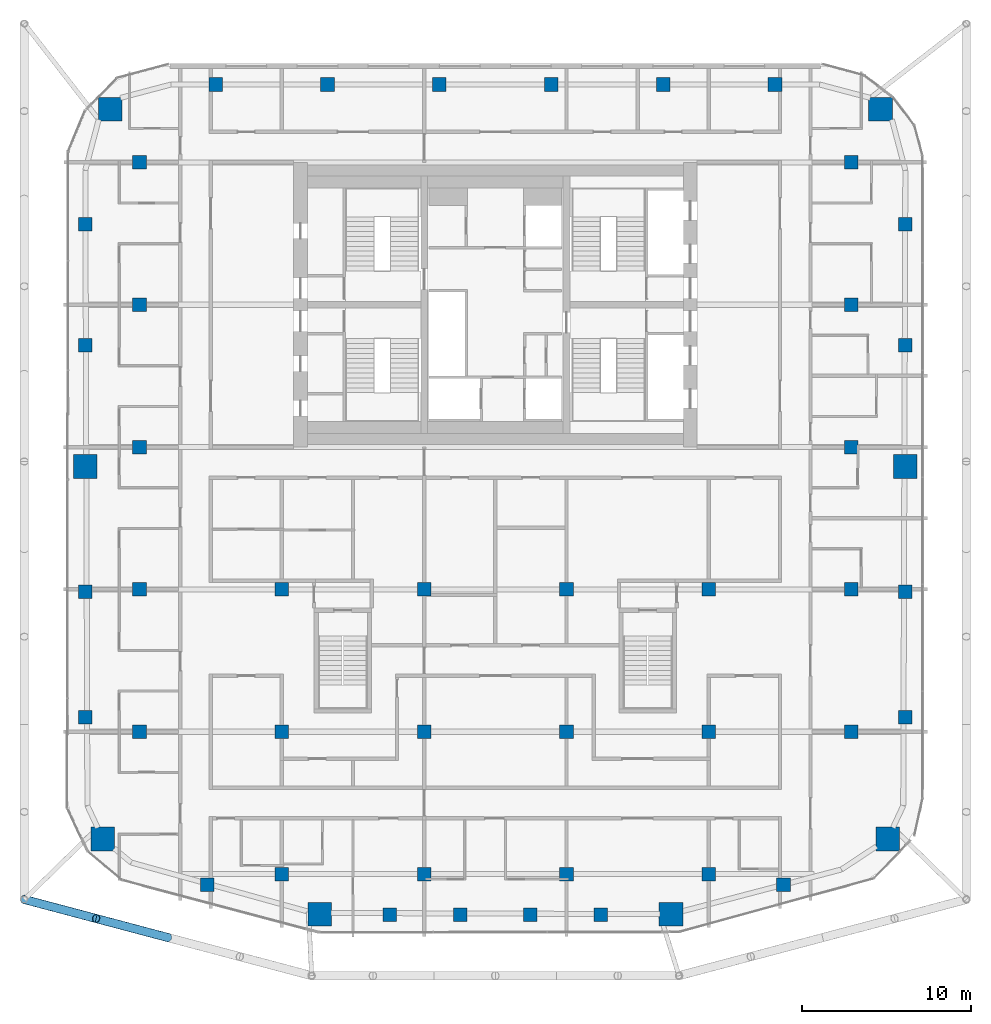
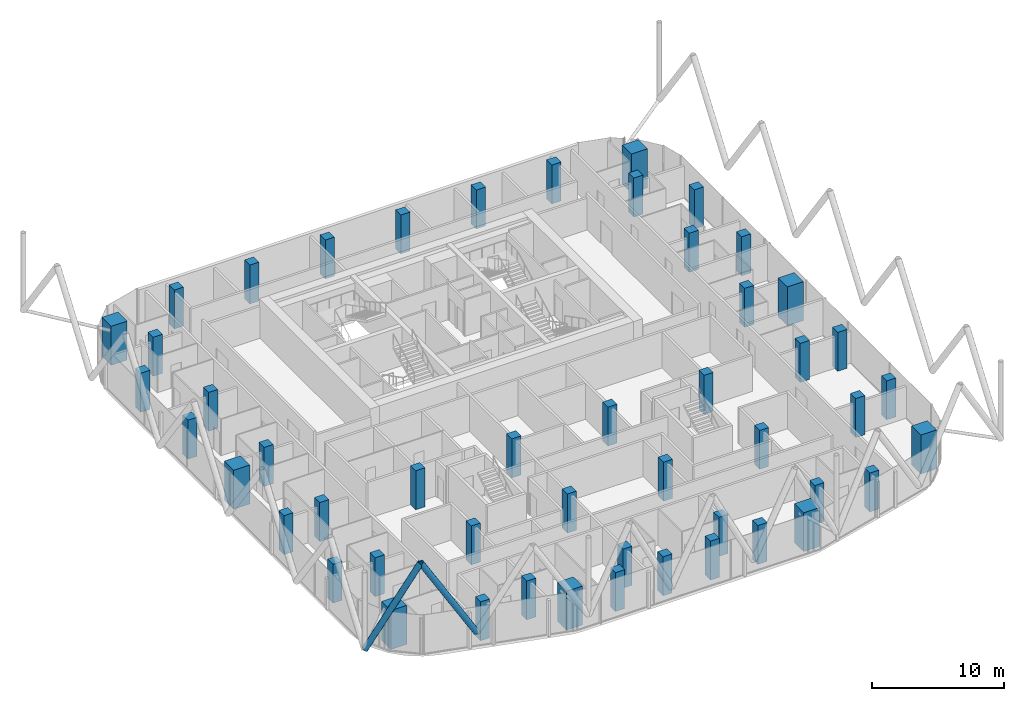
# One storey, part 1 of 28: 50 columns, 2 members.
"""IFC4 building model written with IfcOpenShell, lengths in metres."""

from ifc_helpers import new_model, si_unit, direction, frame, origin, origin_2d, place, context, subcontext, project, spatial, rectangle, hollow_circle, extrude, material, material_profile, profile_set, type_object, element, save


model = new_model("IFC4")

# Units and contexts
model_context = context("Model", 3, precision=1e-05, world=origin(), true_north=direction((0.0, 1.0)))
body_context = subcontext(model_context, "Body", "Model", "MODEL_VIEW")
ifc_project = project(units=[si_unit("LENGTHUNIT", "METRE"), si_unit("AREAUNIT", "SQUARE_METRE"), si_unit("VOLUMEUNIT", "CUBIC_METRE"), si_unit("PLANEANGLEUNIT", "RADIAN"), si_unit("MASSUNIT", "GRAM", prefix="KILO")], contexts=[model_context])

# Site, building, storey
site_placement = place(None, origin())
site = spatial("IfcSite", under=ifc_project, at=site_placement, CompositionType="ELEMENT")
building_placement = place(site_placement, origin())
building = spatial("IfcBuilding", under=site, at=building_placement, Name="Marenta Gate Hotel Tower", CompositionType="ELEMENT")
storey_placement = place(building_placement, frame((0.0, 0.0, 241.699951171875)))
storey = spatial("IfcBuildingStorey", under=building, at=storey_placement, Name="L57", CompositionType="ELEMENT", Elevation=241.699951171875)

# Columns
ifc_material_1 = material(Name="Concrete C60", Category="concrete")
ifc_material_profile_1 = material_profile(ifc_material_1, rectangle(XDim=0.800048828125, YDim=0.800048828125, at=origin_2d()), Name="800 x 800")
ifc_profile_set_1 = profile_set([ifc_material_profile_1], Name="Concrete C60")
column_type_1 = type_object("IfcColumnType", Name="Edge column 800 x 800 C60", PredefinedType="COLUMN", material=ifc_profile_set_1)
for number, where, z_axis, x_axis, name in (
    (1, (-24.199951171875, -15.951904296875, 0.0), (0.0, 0.0, 1.0), (1.0, 0.0, 0.0), "L57-EC-SW-W-1"),
    (2, (-24.199951171875, -8.55078125, 0.0), (0.0, 0.0, 1.0), (1.0, 0.0, 0.0), "L57-EC-SW-W-2"),
    (3, (-24.199951171875, 6.003173828125, 0.0), (0.0, 0.0, 1.0), (1.0, 0.0, 0.0), "L57-EC-W-NW-1"),
    (4, (-24.199951171875, 13.156494140625, 0.0), (0.0, 0.0, 1.0), (1.0, 0.0, 0.0), "L57-EC-W-NW-2"),
    (5, (-16.5068359375, 21.39990234375, 0.0), (0.0, 0.0, 1.0), (1.0, 0.0, 0.0), "L57-EC-NW-NE-1"),
    (6, (-9.904052734375, 21.39990234375, 0.0), (0.0, 0.0, 1.0), (1.0, 0.0, 0.0), "L57-EC-NW-NE-2"),
    (7, (-3.301513671875, 21.39990234375, 0.0), (0.0, 0.0, 1.0), (1.0, 0.0, 0.0), "L57-EC-NW-NE-3"),
    (8, (3.301513671875, 21.39990234375, 0.0), (0.0, 0.0, 1.0), (1.0, 0.0, 0.0), "L57-EC-NW-NE-4"),
    (9, (9.904052734375, 21.39990234375, 0.0), (0.0, 0.0, 1.0), (1.0, 0.0, 0.0), "L57-EC-NW-NE-5"),
    (10, (16.5068359375, 21.39990234375, 0.0), (0.0, 0.0, 1.0), (1.0, 0.0, 0.0), "L57-EC-NW-NE-6"),
    (11, (24.199951171875, 13.156494140625, 0.0), (0.0, 0.0, 1.0), (1.0, 0.0, 0.0), "L57-EC-NE-E-1"),
    (12, (24.199951171875, 6.003173828125, 0.0), (0.0, 0.0, 1.0), (1.0, 0.0, 0.0), "L57-EC-NE-E-2"),
    (13, (24.199951171875, -8.55078125, 0.0), (0.0, 0.0, 1.0), (1.0, 0.0, 0.0), "L57-EC-E-SE-1"),
    (14, (24.199951171875, -15.951904296875, 0.0), (0.0, 0.0, 1.0), (1.0, 0.0, 0.0), "L57-EC-E-SE-2"),
    (15, (17.0068359375, -25.839111328125, 0.0), (0.0, 0.0, 1.0), (1.0, 0.0, 0.0), "L57-EC-SE-SKE-1"),
    (16, (6.22021484375, -27.60009765625, 0.0), (0.0, 0.0, 1.0), (1.0, 0.0, 0.0), "L57-EC-SKE-SKW-1"),
    (17, (2.073486328125, -27.60009765625, 0.0), (0.0, 0.0, 1.0), (1.0, 0.0, 0.0), "L57-EC-SKE-SKW-2"),
    (18, (-2.073486328125, -27.60009765625, 0.0), (0.0, 0.0, 1.0), (1.0, 0.0, 0.0), "L57-EC-SKE-SKW-3"),
    (19, (-6.22021484375, -27.60009765625, 0.0), (0.0, 0.0, 1.0), (1.0, 0.0, 0.0), "L57-EC-SKE-SKW-4"),
    (20, (-17.0068359375, -25.839111328125, 0.0), (0.0, 0.0, 1.0), (1.0, 0.0, 0.0), "L57-EC-SKW-SW-1"),
):
    element("IfcColumn", number, at=place(storey_placement, frame(where, z_axis=z_axis, x_axis=x_axis)), inside=storey, type_object=column_type_1, Name=name, PredefinedType="COLUMN", context=body_context, shape_type="SweptSolid", body=[
        extrude(rectangle(XDim=0.800048828125, YDim=0.800048828125, at=origin_2d()), origin(), (0.0, 0.0, 1.0), 3.60009765625),
    ])
ifc_material_2 = material(Name="Concrete C60", Category="concrete")
ifc_material_profile_2 = material_profile(ifc_material_2, rectangle(XDim=0.800048828125, YDim=0.800048828125, at=origin_2d()), Name="800 x 800")
ifc_profile_set_2 = profile_set([ifc_material_profile_2], Name="Concrete C60")
column_type_2 = type_object("IfcColumnType", Name="Interior column 800 x 800 C60", PredefinedType="COLUMN", material=ifc_profile_set_2)
for number, where, z_axis, x_axis, name in (
    (21, (-21.0, -16.800048828125, 0.0), (0.0, 0.0, 1.0), (1.0, 0.0, 0.0), "L57-IC-4D"),
    (22, (-21.0, -8.39990234375, 0.0), (0.0, 0.0, 1.0), (1.0, 0.0, 0.0), "L57-IC-4E"),
    (23, (-21.0, 0.0, 0.0), (0.0, 0.0, 1.0), (1.0, 0.0, 0.0), "L57-IC-4F"),
    (24, (-21.0, 8.39990234375, 0.0), (0.0, 0.0, 1.0), (1.0, 0.0, 0.0), "L57-IC-4G"),
    (25, (-21.0, 16.800048828125, 0.0), (0.0, 0.0, 1.0), (1.0, 0.0, 0.0), "L57-IC-4H"),
    (26, (-12.60009765625, -25.199951171875, 0.0), (0.0, 0.0, 1.0), (1.0, 0.0, 0.0), "L57-IC-5C"),
    (27, (-12.60009765625, -16.800048828125, 0.0), (0.0, 0.0, 1.0), (1.0, 0.0, 0.0), "L57-IC-5D"),
    (28, (-12.60009765625, -8.39990234375, 0.0), (0.0, 0.0, 1.0), (1.0, 0.0, 0.0), "L57-IC-5E"),
    (29, (-4.199951171875, -25.199951171875, 0.0), (0.0, 0.0, 1.0), (1.0, 0.0, 0.0), "L57-IC-6C"),
    (30, (-4.199951171875, -16.800048828125, 0.0), (0.0, 0.0, 1.0), (1.0, 0.0, 0.0), "L57-IC-6D"),
    (31, (-4.199951171875, -8.39990234375, 0.0), (0.0, 0.0, 1.0), (1.0, 0.0, 0.0), "L57-IC-6E"),
    (32, (4.199951171875, -25.199951171875, 0.0), (0.0, 0.0, 1.0), (1.0, 0.0, 0.0), "L57-IC-7C"),
    (33, (4.199951171875, -16.800048828125, 0.0), (0.0, 0.0, 1.0), (1.0, 0.0, 0.0), "L57-IC-7D"),
    (34, (4.199951171875, -8.39990234375, 0.0), (0.0, 0.0, 1.0), (1.0, 0.0, 0.0), "L57-IC-7E"),
    (35, (12.60009765625, -25.199951171875, 0.0), (0.0, 0.0, 1.0), (1.0, 0.0, 0.0), "L57-IC-8C"),
    (36, (12.60009765625, -16.800048828125, 0.0), (0.0, 0.0, 1.0), (1.0, 0.0, 0.0), "L57-IC-8D"),
    (37, (12.60009765625, -8.39990234375, 0.0), (0.0, 0.0, 1.0), (1.0, 0.0, 0.0), "L57-IC-8E"),
    (38, (21.0, -16.800048828125, 0.0), (0.0, 0.0, 1.0), (1.0, 0.0, 0.0), "L57-IC-9D"),
    (39, (21.0, -8.39990234375, 0.0), (0.0, 0.0, 1.0), (1.0, 0.0, 0.0), "L57-IC-9E"),
    (40, (21.0, 0.0, 0.0), (0.0, 0.0, 1.0), (1.0, 0.0, 0.0), "L57-IC-9F"),
    (41, (21.0, 8.39990234375, 0.0), (0.0, 0.0, 1.0), (1.0, 0.0, 0.0), "L57-IC-9G"),
    (42, (21.0, 16.800048828125, 0.0), (0.0, 0.0, 1.0), (1.0, 0.0, 0.0), "L57-IC-9H"),
):
    element("IfcColumn", number, at=place(storey_placement, frame(where, z_axis=z_axis, x_axis=x_axis)), inside=storey, type_object=column_type_2, Name=name, PredefinedType="COLUMN", context=body_context, shape_type="SweptSolid", body=[
        extrude(rectangle(XDim=0.800048828125, YDim=0.800048828125, at=origin_2d()), origin(), (0.0, 0.0, 1.0), 3.60009765625),
    ])
ifc_material_3 = material(Name="Concrete C60", Category="concrete")
ifc_material_profile_3 = material_profile(ifc_material_3, rectangle(XDim=1.39990234375, YDim=1.39990234375, at=origin_2d()), Name="1400 x 1400")
ifc_profile_set_3 = profile_set([ifc_material_profile_3], Name="Concrete C60")
column_type_3 = type_object("IfcColumnType", Name="Mega column 1400 x 1400 C60", PredefinedType="COLUMN", material=ifc_profile_set_3)
for number, where, z_axis, x_axis, name in (
    (43, (-23.1630859375, -23.133056640625, 0.0), (0.0, 0.0, 1.0), (1.0, 0.0, 0.0), "L57-MC-SW"),
    (44, (-10.3662109375, -27.57470703125, 0.0), (0.0, 0.0, 1.0), (1.0, 0.0, 0.0), "L57-MC-SKW"),
    (45, (10.3662109375, -27.57470703125, 0.0), (0.0, 0.0, 1.0), (1.0, 0.0, 0.0), "L57-MC-SKE"),
    (46, (23.1630859375, -23.133056640625, 0.0), (0.0, 0.0, 1.0), (1.0, 0.0, 0.0), "L57-MC-SE"),
    (47, (24.199951171875, -1.14990234375, 0.0), (0.0, 0.0, 1.0), (1.0, 0.0, 0.0), "L57-MC-E"),
    (48, (22.735595703125, 19.935546875, 0.0), (0.0, 0.0, 1.0), (1.0, 0.0, 0.0), "L57-MC-NE"),
    (49, (-22.735595703125, 19.935546875, 0.0), (0.0, 0.0, 1.0), (1.0, 0.0, 0.0), "L57-MC-NW"),
    (50, (-24.199951171875, -1.14990234375, 0.0), (0.0, 0.0, 1.0), (1.0, 0.0, 0.0), "L57-MC-W"),
):
    element("IfcColumn", number, at=place(storey_placement, frame(where, z_axis=z_axis, x_axis=x_axis)), inside=storey, type_object=column_type_3, Name=name, PredefinedType="COLUMN", context=body_context, shape_type="SweptSolid", body=[
        extrude(rectangle(XDim=1.39990234375, YDim=1.39990234375, at=origin_2d()), origin(), (0.0, 0.0, 1.0), 3.60009765625),
    ])

# Members
ifc_material_4 = material(Name="Steel S355J2W", Category="steel")
ifc_material_profile_4 = material_profile(ifc_material_4, hollow_circle(Radius=0.25390625, WallThickness=0.02490234375, at=origin_2d()), Name="CHS 508x25")
ifc_profile_set_4 = profile_set([ifc_material_profile_4], Name="Steel S355J2W")
member_type = type_object("IfcMemberType", Name="Diagrid diagonal Z3 CHS 508x25", PredefinedType="BRACE", material=ifc_profile_set_4)
for number, where, z_axis, x_axis, name in (
    (51, (-19.319580078125, -28.9501953125, 3.14013671875), (-0.502924018666, 0.133433548941, 0.853968921838), (-0.256443187528, -0.96655930577, 0.0), "L57-DG-23"),
    (52, (-27.800048828125, -26.7001953125, 3.14013671875), (0.502924018666, -0.133433548941, 0.853968921838), (0.256443187528, 0.96655930577, 0.0), "L57-DG-24"),
):
    element("IfcMember", number, at=place(storey_placement, frame(where, z_axis=z_axis, x_axis=x_axis)), inside=storey, type_object=member_type, Name=name, PredefinedType="BRACE", context=body_context, shape_type="SweptSolid", body=[
        extrude(hollow_circle(Radius=0.25390625, WallThickness=0.02490234375, at=origin_2d()), origin(), (0.0, 0.0, 1.0), 8.43115234375),
    ])

save(model, "model.ifc")
